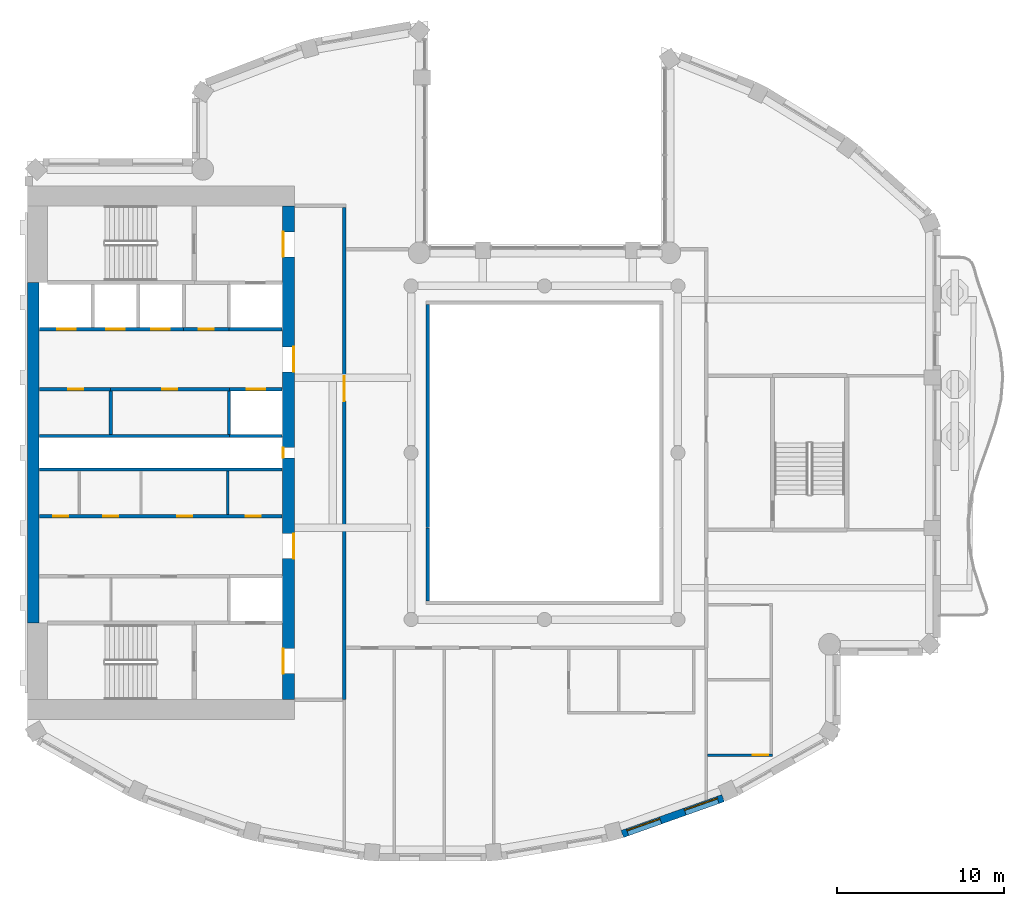
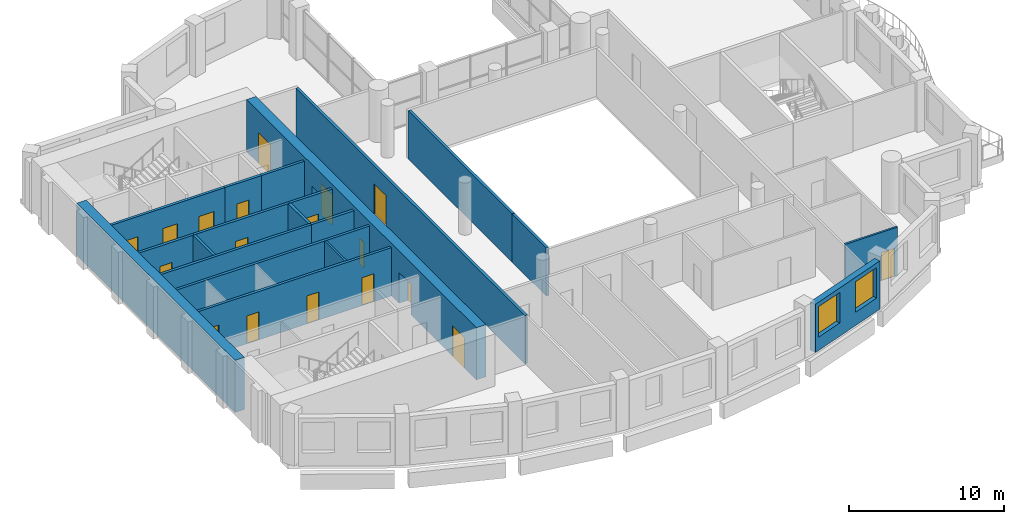
# One storey, part 5 of 14: 20 walls, 18 doors, 2 windows, 20 openings.
"""IFC4 building model written with IfcOpenShell, lengths in metres."""

from ifc_helpers import new_model, si_unit, direction, frame, frame_2d, origin, place, context, subcontext, project, spatial, rectangle, extrude, material, layer, layer_set, type_object, element, fill, save


model = new_model("IFC4")

# Units and contexts
model_context = context("Model", 3, precision=1e-05, world=origin(), true_north=direction((0.0, 1.0)))
body_context = subcontext(model_context, "Body", "Model", "MODEL_VIEW")
ifc_project = project(units=[si_unit("LENGTHUNIT", "METRE"), si_unit("AREAUNIT", "SQUARE_METRE"), si_unit("VOLUMEUNIT", "CUBIC_METRE"), si_unit("PLANEANGLEUNIT", "RADIAN"), si_unit("MASSUNIT", "GRAM", prefix="KILO")], contexts=[model_context])

# Site, building, storey
site_placement = place(None, origin())
site = spatial("IfcSite", under=ifc_project, at=site_placement, CompositionType="ELEMENT")
building_placement = place(site_placement, origin())
building = spatial("IfcBuilding", under=site, at=building_placement, Name="Cypress Arch Tower", CompositionType="ELEMENT")
storey_placement = place(building_placement, frame((0.0, 0.0, 276.199951171875)))
storey = spatial("IfcBuildingStorey", under=building, at=storey_placement, Name="L62", CompositionType="ELEMENT", Elevation=276.199951171875)

# Wall, openings, windows
ifc_material_1 = material(Name="Brick (red buff blend)", Category="masonry")
ifc_layer_1 = layer(ifc_material_1, 0.449951171875)
ifc_layer_set_1 = layer_set([ifc_layer_1], Name="Brick pier and spandrel wall BW450")
wall_type_1 = type_object("IfcWallType", Name="Brick pier and spandrel wall BW450", PredefinedType="SOLIDWALL", material=ifc_layer_set_1)
wall_1_placement = place(storey_placement, frame((5.66455078125, -22.859375, 0.0), z_axis=(0.0, 0.0, 1.0), x_axis=(0.942108340262, 0.335308626803, 0.0)))
wall_1 = element("IfcWall", 1, at=wall_1_placement, inside=storey, type_object=wall_type_1, Name="Brick wall L62 C13.0", PredefinedType="SOLIDWALL", context=body_context, shape_type="SweptSolid", body=[
    extrude(rectangle(XDim=6.41162109375, YDim=0.449951171875, at=frame_2d((3.205810546875, 0.0))), origin(), (0.0, 0.0, 1.0), 3.800048828125),
])
opening_1_placement = place(wall_1_placement, frame((0.3271484375, 0.0, 1.050048828125)))
opening_1 = element("IfcOpeningElement", 2, at=opening_1_placement, cuts=wall_1, Name="Opening W210O", PredefinedType="OPENING", context=body_context, shape_type="SweptSolid", body=[
    extrude(rectangle(XDim=2.10009765625, YDim=2.39990234375, at=frame_2d((1.050048828125, 1.199951171875))), frame((0.0, 0.23486328125, 0.0), z_axis=(0.0, -1.0, 0.0), x_axis=(1.0, 0.0, 0.0)), (0.0, 0.0, 1.0), 0.469970703125),
])
opening_2_placement = place(wall_1_placement, frame((3.984619140625, 0.0, 1.050048828125)))
opening_2 = element("IfcOpeningElement", 3, at=opening_2_placement, cuts=wall_1, Name="Opening W210O", PredefinedType="OPENING", context=body_context, shape_type="SweptSolid", body=[
    extrude(rectangle(XDim=2.10009765625, YDim=2.39990234375, at=frame_2d((1.050048828125, 1.199951171875))), frame((0.0, 0.23486328125, 0.0), z_axis=(0.0, -1.0, 0.0), x_axis=(1.0, 0.0, 0.0)), (0.0, 0.0, 1.0), 0.469970703125),
])
ifc_material_2 = material(Name="Anodised aluminium, bronze finish, clear low-emissivity double glazing", Category="aluminium")
window_type = type_object("IfcWindowType", Name="Window Office 2100x2400", PartitioningType="SINGLE_PANEL", PredefinedType="WINDOW", material=ifc_material_2)
window_1_placement = place(opening_1_placement, origin())
window_1 = element("IfcWindow", 4, at=window_1_placement, inside=storey, type_object=window_type, Name="Window L62 C13.0.1", OverallHeight=2.39990234375, OverallWidth=2.10009765625, PartitioningType="SINGLE_PANEL", PredefinedType="WINDOW", context=body_context, shape_type="SweptSolid", body=[
    extrude(rectangle(XDim=2.10009765625, YDim=2.39990234375, at=frame_2d((1.050048828125, 1.199951171875))), frame((0.0, 0.135009765625, 0.0), z_axis=(0.0, -1.0, 0.0), x_axis=(1.0, 0.0, 0.0)), (0.0, 0.0, 1.0), 0.06005859375),
])
fill(opening_1, window_1)
window_2_placement = place(opening_2_placement, origin())
window_2 = element("IfcWindow", 5, at=window_2_placement, inside=storey, type_object=window_type, Name="Window L62 C13.0.2", OverallHeight=2.39990234375, OverallWidth=2.10009765625, PartitioningType="SINGLE_PANEL", PredefinedType="WINDOW", context=body_context, shape_type="SweptSolid", body=[
    extrude(rectangle(XDim=2.10009765625, YDim=2.39990234375, at=frame_2d((1.050048828125, 1.199951171875))), frame((0.0, 0.135009765625, 0.0), z_axis=(0.0, -1.0, 0.0), x_axis=(1.0, 0.0, 0.0)), (0.0, 0.0, 1.0), 0.06005859375),
])
fill(opening_2, window_2)

# Wall, openings, doors
ifc_material_3 = material(Name="Concrete C60/75", Category="concrete")
ifc_layer_2 = layer(ifc_material_3, 0.699951171875)
ifc_layer_set_2 = layer_set([ifc_layer_2], Name="Core wall CW700 C60/75")
wall_type_2 = type_object("IfcWallType", Name="Core wall CW700 C60/75", PredefinedType="SHEAR", material=ifc_layer_set_2)
wall_2_placement = place(storey_placement, frame((-14.35009765625, -14.800048828125, 0.0), z_axis=(0.0, 0.0, 1.0), x_axis=(0.0, 1.0, 0.0)))
wall_2 = element("IfcWall", 6, at=wall_2_placement, inside=storey, type_object=wall_type_2, Name="Core wall", PredefinedType="SHEAR", context=body_context, shape_type="SweptSolid", body=[
    extrude(rectangle(XDim=29.60009765625, YDim=0.699951171875, at=frame_2d((14.800048828125, 0.0))), origin(), (0.0, 0.0, 1.0), 4.10009765625),
])
opening_3_placement = place(wall_2_placement, frame((1.550048828125, 0.0, 0.0)))
opening_3 = element("IfcOpeningElement", 7, at=opening_3_placement, cuts=wall_2, Name="Opening D07", PredefinedType="OPENING", context=body_context, shape_type="SweptSolid", body=[
    extrude(rectangle(XDim=1.5, YDim=2.39990234375, at=frame_2d((0.75, 1.199951171875))), frame((0.0, 0.35986328125, 0.0), z_axis=(0.0, -1.0, 0.0), x_axis=(1.0, 0.0, 0.0)), (0.0, 0.0, 1.0), 0.719970703125),
])
opening_4_placement = place(wall_2_placement, frame((26.550048828125, 0.0, 0.0)))
opening_4 = element("IfcOpeningElement", 8, at=opening_4_placement, cuts=wall_2, Name="Opening D07", PredefinedType="OPENING", context=body_context, shape_type="SweptSolid", body=[
    extrude(rectangle(XDim=1.5, YDim=2.39990234375, at=frame_2d((0.75, 1.199951171875))), frame((0.0, 0.35986328125, 0.0), z_axis=(0.0, -1.0, 0.0), x_axis=(1.0, 0.0, 0.0)), (0.0, 0.0, 1.0), 0.719970703125),
])
opening_5_placement = place(wall_2_placement, frame((8.449951171875, 0.0, 0.0)))
opening_5 = element("IfcOpeningElement", 9, at=opening_5_placement, cuts=wall_2, Name="Opening D07", PredefinedType="OPENING", context=body_context, shape_type="SweptSolid", body=[
    extrude(rectangle(XDim=1.5, YDim=2.39990234375, at=frame_2d((0.75, 1.199951171875))), frame((0.0, 0.35986328125, 0.0), z_axis=(0.0, -1.0, 0.0), x_axis=(1.0, 0.0, 0.0)), (0.0, 0.0, 1.0), 0.719970703125),
])
opening_6_placement = place(wall_2_placement, frame((19.64990234375, 0.0, 0.0)))
opening_6 = element("IfcOpeningElement", 10, at=opening_6_placement, cuts=wall_2, Name="Opening D07", PredefinedType="OPENING", context=body_context, shape_type="SweptSolid", body=[
    extrude(rectangle(XDim=1.5, YDim=2.39990234375, at=frame_2d((0.75, 1.199951171875))), frame((0.0, 0.35986328125, 0.0), z_axis=(0.0, -1.0, 0.0), x_axis=(1.0, 0.0, 0.0)), (0.0, 0.0, 1.0), 0.719970703125),
])
opening_7_placement = place(wall_2_placement, frame((14.5, 0.0, 0.0)))
opening_7 = element("IfcOpeningElement", 11, at=opening_7_placement, cuts=wall_2, Name="Opening D08", PredefinedType="OPENING", context=body_context, shape_type="SweptSolid", body=[
    extrude(rectangle(XDim=0.60009765625, YDim=2.0, at=frame_2d((0.300048828125, 1.0))), frame((0.0, 0.35986328125, 0.0), z_axis=(0.0, -1.0, 0.0), x_axis=(1.0, 0.0, 0.0)), (0.0, 0.0, 1.0), 0.719970703125),
])
ifc_material_4 = material(Name="Steel framed glazed door, fire resisting", Category="steel")
door_type_1 = type_object("IfcDoorType", Name="Lobby door D07 1500x2400", OperationType="DOUBLE_DOOR_SINGLE_SWING", PredefinedType="DOOR", material=ifc_material_4)
door_1_placement = place(opening_3_placement, origin())
door_1 = element("IfcDoor", 12, at=door_1_placement, inside=storey, type_object=door_type_1, Name="Lobby door", OperationType="DOUBLE_DOOR_SINGLE_SWING", OverallHeight=2.39990234375, OverallWidth=1.5, PredefinedType="DOOR", context=body_context, shape_type="SweptSolid", body=[
    extrude(rectangle(XDim=1.5, YDim=2.39990234375, at=frame_2d((0.75, 1.199951171875))), frame((0.0, 0.34521484375, 0.0), z_axis=(0.0, -1.0, 0.0), x_axis=(1.0, 0.0, 0.0)), (0.0, 0.0, 1.0), 0.050048828125),
])
fill(opening_3, door_1)
door_2_placement = place(opening_4_placement, origin())
door_2 = element("IfcDoor", 13, at=door_2_placement, inside=storey, type_object=door_type_1, Name="Lobby door", OperationType="DOUBLE_DOOR_SINGLE_SWING", OverallHeight=2.39990234375, OverallWidth=1.5, PredefinedType="DOOR", context=body_context, shape_type="SweptSolid", body=[
    extrude(rectangle(XDim=1.5, YDim=2.39990234375, at=frame_2d((0.75, 1.199951171875))), frame((0.0, 0.34521484375, 0.0), z_axis=(0.0, -1.0, 0.0), x_axis=(1.0, 0.0, 0.0)), (0.0, 0.0, 1.0), 0.050048828125),
])
fill(opening_4, door_2)
door_3_placement = place(opening_5_placement, origin())
door_3 = element("IfcDoor", 14, at=door_3_placement, inside=storey, type_object=door_type_1, Name="Lobby door", OperationType="DOUBLE_DOOR_SINGLE_SWING", OverallHeight=2.39990234375, OverallWidth=1.5, PredefinedType="DOOR", context=body_context, shape_type="SweptSolid", body=[
    extrude(rectangle(XDim=1.5, YDim=2.39990234375, at=frame_2d((0.75, 1.199951171875))), frame((0.0, -0.294921875, 0.0), z_axis=(0.0, -1.0, 0.0), x_axis=(1.0, 0.0, 0.0)), (0.0, 0.0, 1.0), 0.050048828125),
])
fill(opening_5, door_3)
door_4_placement = place(opening_6_placement, origin())
door_4 = element("IfcDoor", 15, at=door_4_placement, inside=storey, type_object=door_type_1, Name="Lobby door", OperationType="DOUBLE_DOOR_SINGLE_SWING", OverallHeight=2.39990234375, OverallWidth=1.5, PredefinedType="DOOR", context=body_context, shape_type="SweptSolid", body=[
    extrude(rectangle(XDim=1.5, YDim=2.39990234375, at=frame_2d((0.75, 1.199951171875))), frame((0.0, -0.294921875, 0.0), z_axis=(0.0, -1.0, 0.0), x_axis=(1.0, 0.0, 0.0)), (0.0, 0.0, 1.0), 0.050048828125),
])
fill(opening_6, door_4)
ifc_material_5 = material(Name="Steel access door, fire resisting", Category="steel")
door_type_2 = type_object("IfcDoorType", Name="Riser access door D08 600x2000", OperationType="SINGLE_SWING_LEFT", PredefinedType="DOOR", material=ifc_material_5)
door_5_placement = place(opening_7_placement, origin())
door_5 = element("IfcDoor", 16, at=door_5_placement, inside=storey, type_object=door_type_2, Name="Riser access door", OperationType="SINGLE_SWING_RIGHT", OverallHeight=2.0, OverallWidth=0.60009765625, PredefinedType="DOOR", context=body_context, shape_type="SweptSolid", body=[
    extrude(rectangle(XDim=0.60009765625, YDim=2.0, at=frame_2d((0.300048828125, 1.0))), frame((0.0, 0.34521484375, 0.0), z_axis=(0.0, -1.0, 0.0), x_axis=(1.0, 0.0, 0.0)), (0.0, 0.0, 1.0), 0.050048828125),
])
fill(opening_7, door_5)

# Wall
wall_3_placement = place(storey_placement, frame((-29.64990234375, -10.199951171875, 0.0), z_axis=(0.0, 0.0, 1.0), x_axis=(0.0, 1.0, 0.0)))
element("IfcWall", 17, at=wall_3_placement, inside=storey, type_object=wall_type_2, Name="Core wall", PredefinedType="SHEAR", context=body_context, shape_type="SweptSolid", body=[
    extrude(rectangle(XDim=20.39990234375, YDim=0.699951171875, at=frame_2d((10.199951171875, 0.0))), origin(), (0.0, 0.0, 1.0), 4.10009765625),
])

# Wall, openings, doors
ifc_material_6 = material(Name="Concrete blockwork, plastered, rated", Category="masonry")
ifc_layer_3 = layer(ifc_material_6, 0.199951171875)
ifc_layer_set_3 = layer_set([ifc_layer_3], Name="Corridor wall FW200")
wall_type_3 = type_object("IfcWallType", Name="Corridor wall FW200", PredefinedType="PARTITIONING", material=ifc_layer_set_3)
wall_4_placement = place(storey_placement, frame((-29.27001953125, -3.800048828125, 0.0), z_axis=(0.0, 0.0, 1.0), x_axis=(1.0, 0.0, 0.0)))
wall_4 = element("IfcWall", 18, at=wall_4_placement, inside=storey, type_object=wall_type_3, Name="Corridor wall", PredefinedType="PARTITIONING", context=body_context, shape_type="SweptSolid", body=[
    extrude(rectangle(XDim=14.5400390625, YDim=0.199951171875, at=frame_2d((7.27001953125, 0.0))), origin(), (0.0, 0.0, 1.0), 3.800048828125),
])
opening_8_placement = place(wall_4_placement, frame((0.800048828125, 0.0, 0.0)))
opening_8 = element("IfcOpeningElement", 19, at=opening_8_placement, cuts=wall_4, Name="Opening D05", PredefinedType="OPENING", context=body_context, shape_type="SweptSolid", body=[
    extrude(rectangle(XDim=0.89990234375, YDim=2.199951171875, at=frame_2d((0.449951171875, 1.10009765625))), frame((0.0, 0.10986328125, 0.0), z_axis=(0.0, -1.0, 0.0), x_axis=(1.0, 0.0, 0.0)), (0.0, 0.0, 1.0), 0.219970703125),
])
opening_9_placement = place(wall_4_placement, frame((3.800048828125, 0.0, 0.0)))
opening_9 = element("IfcOpeningElement", 20, at=opening_9_placement, cuts=wall_4, Name="Opening D05", PredefinedType="OPENING", context=body_context, shape_type="SweptSolid", body=[
    extrude(rectangle(XDim=0.89990234375, YDim=2.199951171875, at=frame_2d((0.449951171875, 1.10009765625))), frame((0.0, 0.10986328125, 0.0), z_axis=(0.0, -1.0, 0.0), x_axis=(1.0, 0.0, 0.0)), (0.0, 0.0, 1.0), 0.219970703125),
])
opening_10_placement = place(wall_4_placement, frame((8.25, 0.0, 0.0)))
opening_10 = element("IfcOpeningElement", 21, at=opening_10_placement, cuts=wall_4, Name="Opening D05", PredefinedType="OPENING", context=body_context, shape_type="SweptSolid", body=[
    extrude(rectangle(XDim=0.89990234375, YDim=2.199951171875, at=frame_2d((0.449951171875, 1.10009765625))), frame((0.0, 0.10986328125, 0.0), z_axis=(0.0, -1.0, 0.0), x_axis=(1.0, 0.0, 0.0)), (0.0, 0.0, 1.0), 0.219970703125),
])
opening_11_placement = place(wall_4_placement, frame((12.35009765625, 0.0, 0.0)))
opening_11 = element("IfcOpeningElement", 22, at=opening_11_placement, cuts=wall_4, Name="Opening D05", PredefinedType="OPENING", context=body_context, shape_type="SweptSolid", body=[
    extrude(rectangle(XDim=0.89990234375, YDim=2.199951171875, at=frame_2d((0.449951171875, 1.10009765625))), frame((0.0, 0.10986328125, 0.0), z_axis=(0.0, -1.0, 0.0), x_axis=(1.0, 0.0, 0.0)), (0.0, 0.0, 1.0), 0.219970703125),
])
ifc_material_7 = material(Name="Timber flush door", Category="wood")
door_type_3 = type_object("IfcDoorType", Name="Service door D05 900x2200", OperationType="SINGLE_SWING_LEFT", PredefinedType="DOOR", material=ifc_material_7)
door_6_placement = place(opening_8_placement, origin())
door_6 = element("IfcDoor", 23, at=door_6_placement, inside=storey, type_object=door_type_3, Name="Service door", OperationType="SINGLE_SWING_RIGHT", OverallHeight=2.199951171875, OverallWidth=0.89990234375, PredefinedType="DOOR", context=body_context, shape_type="SweptSolid", body=[
    extrude(rectangle(XDim=0.89990234375, YDim=2.199951171875, at=frame_2d((0.449951171875, 1.10009765625))), frame((0.0, 0.02490234375, 0.0), z_axis=(0.0, -1.0, 0.0), x_axis=(1.0, 0.0, 0.0)), (0.0, 0.0, 1.0), 0.050048828125),
])
fill(opening_8, door_6)
door_7_placement = place(opening_9_placement, origin())
door_7 = element("IfcDoor", 24, at=door_7_placement, inside=storey, type_object=door_type_3, Name="Service door", OperationType="SINGLE_SWING_RIGHT", OverallHeight=2.199951171875, OverallWidth=0.89990234375, PredefinedType="DOOR", context=body_context, shape_type="SweptSolid", body=[
    extrude(rectangle(XDim=0.89990234375, YDim=2.199951171875, at=frame_2d((0.449951171875, 1.10009765625))), frame((0.0, 0.02490234375, 0.0), z_axis=(0.0, -1.0, 0.0), x_axis=(1.0, 0.0, 0.0)), (0.0, 0.0, 1.0), 0.050048828125),
])
fill(opening_9, door_7)
door_8_placement = place(opening_10_placement, origin())
door_8 = element("IfcDoor", 25, at=door_8_placement, inside=storey, type_object=door_type_3, Name="Service door", OperationType="SINGLE_SWING_RIGHT", OverallHeight=2.199951171875, OverallWidth=0.89990234375, PredefinedType="DOOR", context=body_context, shape_type="SweptSolid", body=[
    extrude(rectangle(XDim=0.89990234375, YDim=2.199951171875, at=frame_2d((0.449951171875, 1.10009765625))), frame((0.0, 0.02490234375, 0.0), z_axis=(0.0, -1.0, 0.0), x_axis=(1.0, 0.0, 0.0)), (0.0, 0.0, 1.0), 0.050048828125),
])
fill(opening_10, door_8)
door_9_placement = place(opening_11_placement, origin())
door_9 = element("IfcDoor", 26, at=door_9_placement, inside=storey, type_object=door_type_3, Name="Service door", OperationType="SINGLE_SWING_LEFT", OverallHeight=2.199951171875, OverallWidth=0.89990234375, PredefinedType="DOOR", context=body_context, shape_type="SweptSolid", body=[
    extrude(rectangle(XDim=0.89990234375, YDim=2.199951171875, at=frame_2d((0.449951171875, 1.10009765625))), frame((0.0, 0.02490234375, 0.0), z_axis=(0.0, -1.0, 0.0), x_axis=(1.0, 0.0, 0.0)), (0.0, 0.0, 1.0), 0.050048828125),
])
fill(opening_11, door_9)

# Wall, opening, door
wall_5_placement = place(storey_placement, frame((-29.27001953125, 3.800048828125, 0.0), z_axis=(0.0, 0.0, 1.0), x_axis=(1.0, 0.0, 0.0)))
wall_5 = element("IfcWall", 27, at=wall_5_placement, inside=storey, type_object=wall_type_3, Name="Corridor wall", PredefinedType="PARTITIONING", context=body_context, shape_type="SweptSolid", body=[
    extrude(rectangle(XDim=4.25, YDim=0.199951171875, at=frame_2d((2.125, 0.0))), origin(), (0.0, 0.0, 1.0), 3.800048828125),
])
opening_12_placement = place(wall_5_placement, frame((1.699951171875, 0.0, 0.0)))
opening_12 = element("IfcOpeningElement", 28, at=opening_12_placement, cuts=wall_5, Name="Opening D05", PredefinedType="OPENING", context=body_context, shape_type="SweptSolid", body=[
    extrude(rectangle(XDim=0.89990234375, YDim=2.199951171875, at=frame_2d((0.449951171875, 1.10009765625))), frame((0.0, 0.10986328125, 0.0), z_axis=(0.0, -1.0, 0.0), x_axis=(1.0, 0.0, 0.0)), (0.0, 0.0, 1.0), 0.219970703125),
])
door_10_placement = place(opening_12_placement, origin())
door_10 = element("IfcDoor", 29, at=door_10_placement, inside=storey, type_object=door_type_3, Name="Service door", OperationType="SINGLE_SWING_LEFT", OverallHeight=2.199951171875, OverallWidth=0.89990234375, PredefinedType="DOOR", context=body_context, shape_type="SweptSolid", body=[
    extrude(rectangle(XDim=0.89990234375, YDim=2.199951171875, at=frame_2d((0.449951171875, 1.10009765625))), frame((0.0, 0.02490234375, 0.0), z_axis=(0.0, -1.0, 0.0), x_axis=(1.0, 0.0, 0.0)), (0.0, 0.0, 1.0), 0.050048828125),
])
fill(opening_12, door_10)

wall_6_placement = place(storey_placement, frame((-20.639892578125, 7.39990234375, 0.0), z_axis=(0.0, 0.0, 1.0), x_axis=(1.0, 0.0, 0.0)))
wall_6 = element("IfcWall", 30, at=wall_6_placement, inside=storey, type_object=wall_type_3, Name="Corridor wall", PredefinedType="PARTITIONING", context=body_context, shape_type="SweptSolid", body=[
    extrude(rectangle(XDim=2.719970703125, YDim=0.199951171875, at=frame_2d((1.35986328125, 0.0))), origin(), (0.0, 0.0, 1.0), 3.800048828125),
])
opening_13_placement = place(wall_6_placement, frame((0.89990234375, 0.0, 0.0)))
opening_13 = element("IfcOpeningElement", 31, at=opening_13_placement, cuts=wall_6, Name="Opening D05", PredefinedType="OPENING", context=body_context, shape_type="SweptSolid", body=[
    extrude(rectangle(XDim=0.89990234375, YDim=2.199951171875, at=frame_2d((0.449951171875, 1.10009765625))), frame((0.0, 0.10986328125, 0.0), z_axis=(0.0, -1.0, 0.0), x_axis=(1.0, 0.0, 0.0)), (0.0, 0.0, 1.0), 0.219970703125),
])
door_11_placement = place(opening_13_placement, origin())
door_11 = element("IfcDoor", 32, at=door_11_placement, inside=storey, type_object=door_type_3, Name="Service door", OperationType="SINGLE_SWING_LEFT", OverallHeight=2.199951171875, OverallWidth=0.89990234375, PredefinedType="DOOR", context=body_context, shape_type="SweptSolid", body=[
    extrude(rectangle(XDim=0.89990234375, YDim=2.199951171875, at=frame_2d((0.449951171875, 1.10009765625))), frame((0.0, 0.02490234375, 0.0), z_axis=(0.0, -1.0, 0.0), x_axis=(1.0, 0.0, 0.0)), (0.0, 0.0, 1.0), 0.050048828125),
])
fill(opening_13, door_11)

wall_7_placement = place(storey_placement, frame((-11.0, -14.800048828125, 0.0), z_axis=(0.0, 0.0, 1.0), x_axis=(0.0, 1.0, 0.0)))
wall_7 = element("IfcWall", 33, at=wall_7_placement, inside=storey, type_object=wall_type_3, Name="Corridor wall", PredefinedType="PARTITIONING", context=body_context, shape_type="SweptSolid", body=[
    extrude(rectangle(XDim=29.5, YDim=0.199951171875, at=frame_2d((14.75, 0.0))), origin(), (0.0, 0.0, 1.0), 3.800048828125),
])
opening_14_placement = place(wall_7_placement, frame((17.89990234375, 0.0, 0.0)))
opening_14 = element("IfcOpeningElement", 34, at=opening_14_placement, cuts=wall_7, Name="Opening D07", PredefinedType="OPENING", context=body_context, shape_type="SweptSolid", body=[
    extrude(rectangle(XDim=1.5, YDim=2.39990234375, at=frame_2d((0.75, 1.199951171875))), frame((0.0, 0.10986328125, 0.0), z_axis=(0.0, -1.0, 0.0), x_axis=(1.0, 0.0, 0.0)), (0.0, 0.0, 1.0), 0.219970703125),
])
door_12_placement = place(opening_14_placement, origin())
door_12 = element("IfcDoor", 35, at=door_12_placement, inside=storey, type_object=door_type_1, Name="Lobby door", OperationType="DOUBLE_DOOR_SINGLE_SWING", OverallHeight=2.39990234375, OverallWidth=1.5, PredefinedType="DOOR", context=body_context, shape_type="SweptSolid", body=[
    extrude(rectangle(XDim=1.5, YDim=2.39990234375, at=frame_2d((0.75, 1.199951171875))), frame((0.0, 0.02490234375, 0.0), z_axis=(0.0, -1.0, 0.0), x_axis=(1.0, 0.0, 0.0)), (0.0, 0.0, 1.0), 0.050048828125),
])
fill(opening_14, door_12)

# Walls
wall_8_placement = place(storey_placement, frame((-6.0, -8.89990234375, 0.0), z_axis=(0.0, 0.0, 1.0), x_axis=(0.0, 1.0, 0.0)))
element("IfcWall", 36, at=wall_8_placement, inside=storey, type_object=wall_type_3, Name="Corridor wall", PredefinedType="PARTITIONING", context=body_context, shape_type="SweptSolid", body=[
    extrude(rectangle(XDim=4.3798828125, YDim=0.199951171875, at=frame_2d((2.18994140625, 0.0))), origin(), (0.0, 0.0, 1.0), 3.800048828125),
])
wall_9_placement = place(storey_placement, frame((-6.0, -4.47998046875, 0.0), z_axis=(0.0, 0.0, 1.0), x_axis=(0.0, 1.0, 0.0)))
element("IfcWall", 37, at=wall_9_placement, inside=storey, type_object=wall_type_3, Name="Corridor wall", PredefinedType="PARTITIONING", context=body_context, shape_type="SweptSolid", body=[
    extrude(rectangle(XDim=13.3798828125, YDim=0.199951171875, at=frame_2d((6.68994140625, 0.0))), origin(), (0.0, 0.0, 1.0), 3.800048828125),
])
ifc_material_8 = material(Name="Blockwork, plastered both sides", Category="masonry")
ifc_layer_4 = layer(ifc_material_8, 0.14990234375)
ifc_layer_set_4 = layer_set([ifc_layer_4], Name="Partition PW150")
wall_type_4 = type_object("IfcWallType", Name="Partition PW150", PredefinedType="PARTITIONING", material=ifc_layer_set_4)
wall_10_placement = place(storey_placement, frame((-18.0, -3.699951171875, 0.0), z_axis=(0.0, 0.0, 1.0), x_axis=(0.0, 1.0, 0.0)))
element("IfcWall", 38, at=wall_10_placement, inside=storey, type_object=wall_type_4, Name="Partition", PredefinedType="PARTITIONING", context=body_context, shape_type="SweptSolid", body=[
    extrude(rectangle(XDim=2.599853515625, YDim=0.14990234375, at=frame_2d((1.2998046875, 0.0))), origin(), (0.0, 0.0, 1.0), 3.800048828125),
])

# Wall, opening, door
wall_11_placement = place(storey_placement, frame((10.77490234375, -18.125, 0.0), z_axis=(0.0, 0.0, 1.0), x_axis=(1.0, 0.0, 0.0)))
wall_11 = element("IfcWall", 39, at=wall_11_placement, inside=storey, type_object=wall_type_4, Name="Partition", PredefinedType="PARTITIONING", context=body_context, shape_type="SweptSolid", body=[
    extrude(rectangle(XDim=3.900146484375, YDim=0.14990234375, at=frame_2d((1.9501953125, 0.0))), origin(), (0.0, 0.0, 1.0), 3.800048828125),
])
opening_15_placement = place(wall_11_placement, frame((2.699951171875, 0.0, 0.0)))
opening_15 = element("IfcOpeningElement", 40, at=opening_15_placement, cuts=wall_11, Name="Opening D12", PredefinedType="OPENING", context=body_context, shape_type="SweptSolid", body=[
    extrude(rectangle(XDim=0.949951171875, YDim=2.199951171875, at=frame_2d((0.47509765625, 1.10009765625))), frame((0.0, 0.0849609375, 0.0), z_axis=(0.0, -1.0, 0.0), x_axis=(1.0, 0.0, 0.0)), (0.0, 0.0, 1.0), 0.169921875),
])
ifc_material_9 = material(Name="Timber flush door", Category="wood")
door_type_4 = type_object("IfcDoorType", Name="Room door D12 950x2200", OperationType="SINGLE_SWING_LEFT", PredefinedType="DOOR", material=ifc_material_9)
door_13_placement = place(opening_15_placement, origin())
door_13 = element("IfcDoor", 41, at=door_13_placement, inside=storey, type_object=door_type_4, Name="Room door", OperationType="SINGLE_SWING_RIGHT", OverallHeight=2.199951171875, OverallWidth=0.949951171875, PredefinedType="DOOR", context=body_context, shape_type="SweptSolid", body=[
    extrude(rectangle(XDim=0.949951171875, YDim=2.199951171875, at=frame_2d((0.47509765625, 1.10009765625))), frame((0.0, 0.02490234375, 0.0), z_axis=(0.0, -1.0, 0.0), x_axis=(1.0, 0.0, 0.0)), (0.0, 0.0, 1.0), 0.050048828125),
])
fill(opening_15, door_13)

# Walls
ifc_material_10 = material(Name="Reinforced blockwork, plastered, rated", Category="masonry")
ifc_layer_5 = layer(ifc_material_10, 0.199951171875)
ifc_layer_set_5 = layer_set([ifc_layer_5], Name="Plant and riser wall PL200")
wall_type_5 = type_object("IfcWallType", Name="Plant and riser wall PL200", PredefinedType="PARTITIONING", material=ifc_layer_set_5)
wall_12_placement = place(storey_placement, frame((-29.27001953125, -1.0, 0.0), z_axis=(0.0, 0.0, 1.0), x_axis=(1.0, 0.0, 0.0)))
element("IfcWall", 42, at=wall_12_placement, inside=storey, type_object=wall_type_5, Name="Plant and riser wall", PredefinedType="PARTITIONING", context=body_context, shape_type="SweptSolid", body=[
    extrude(rectangle(XDim=14.5400390625, YDim=0.199951171875, at=frame_2d((7.27001953125, 0.0))), origin(), (0.0, 0.0, 1.0), 3.800048828125),
])
wall_13_placement = place(storey_placement, frame((-29.27001953125, 1.0, 0.0), z_axis=(0.0, 0.0, 1.0), x_axis=(1.0, 0.0, 0.0)))
element("IfcWall", 43, at=wall_13_placement, inside=storey, type_object=wall_type_5, Name="Plant and riser wall", PredefinedType="PARTITIONING", context=body_context, shape_type="SweptSolid", body=[
    extrude(rectangle(XDim=11.3701171875, YDim=0.199951171875, at=frame_2d((5.68505859375, 0.0))), origin(), (0.0, 0.0, 1.0), 3.800048828125),
])

# Wall, opening, door
wall_14_placement = place(storey_placement, frame((-25.02001953125, 3.800048828125, 0.0), z_axis=(0.0, 0.0, 1.0), x_axis=(1.0, 0.0, 0.0)))
wall_14 = element("IfcWall", 44, at=wall_14_placement, inside=storey, type_object=wall_type_5, Name="Plant and riser wall", PredefinedType="PARTITIONING", context=body_context, shape_type="SweptSolid", body=[
    extrude(rectangle(XDim=7.1201171875, YDim=0.199951171875, at=frame_2d((3.56005859375, 0.0))), origin(), (0.0, 0.0, 1.0), 3.800048828125),
])
opening_16_placement = place(wall_14_placement, frame((3.10009765625, 0.0, 0.0)))
opening_16 = element("IfcOpeningElement", 45, at=opening_16_placement, cuts=wall_14, Name="Opening D05", PredefinedType="OPENING", context=body_context, shape_type="SweptSolid", body=[
    extrude(rectangle(XDim=0.89990234375, YDim=2.199951171875, at=frame_2d((0.449951171875, 1.10009765625))), frame((0.0, 0.10986328125, 0.0), z_axis=(0.0, -1.0, 0.0), x_axis=(1.0, 0.0, 0.0)), (0.0, 0.0, 1.0), 0.219970703125),
])
door_14_placement = place(opening_16_placement, origin())
door_14 = element("IfcDoor", 46, at=door_14_placement, inside=storey, type_object=door_type_3, Name="Service door", OperationType="SINGLE_SWING_RIGHT", OverallHeight=2.199951171875, OverallWidth=0.89990234375, PredefinedType="DOOR", context=body_context, shape_type="SweptSolid", body=[
    extrude(rectangle(XDim=0.89990234375, YDim=2.199951171875, at=frame_2d((0.449951171875, 1.10009765625))), frame((0.0, 0.02490234375, 0.0), z_axis=(0.0, -1.0, 0.0), x_axis=(1.0, 0.0, 0.0)), (0.0, 0.0, 1.0), 0.050048828125),
])
fill(opening_16, door_14)

# Wall
wall_15_placement = place(storey_placement, frame((-25.0, 1.10009765625, 0.0), z_axis=(0.0, 0.0, 1.0), x_axis=(0.0, 1.0, 0.0)))
element("IfcWall", 47, at=wall_15_placement, inside=storey, type_object=wall_type_5, Name="Plant and riser wall", PredefinedType="PARTITIONING", context=body_context, shape_type="SweptSolid", body=[
    extrude(rectangle(XDim=2.599853515625, YDim=0.199951171875, at=frame_2d((1.2998046875, 0.0))), origin(), (0.0, 0.0, 1.0), 3.800048828125),
])

# Wall, openings, doors
ifc_material_11 = material(Name="Concrete C50/60", Category="concrete")
ifc_layer_6 = layer(ifc_material_11, 0.199951171875)
ifc_layer_set_6 = layer_set([ifc_layer_6], Name="Shaft wall SH200")
wall_type_6 = type_object("IfcWallType", Name="Shaft wall SH200", PredefinedType="SHEAR", material=ifc_layer_set_6)
wall_16_placement = place(storey_placement, frame((-29.27001953125, 7.39990234375, 0.0), z_axis=(0.0, 0.0, 1.0), x_axis=(1.0, 0.0, 0.0)))
wall_16 = element("IfcWall", 48, at=wall_16_placement, inside=storey, type_object=wall_type_6, Name="Shaft wall", PredefinedType="SHEAR", context=body_context, shape_type="SweptSolid", body=[
    extrude(rectangle(XDim=8.630126953125, YDim=0.199951171875, at=frame_2d((4.31494140625, 0.0))), origin(), (0.0, 0.0, 1.0), 3.800048828125),
])
opening_17_placement = place(wall_16_placement, frame((1.050048828125, 0.0, 0.0)))
opening_17 = element("IfcOpeningElement", 49, at=opening_17_placement, cuts=wall_16, Name="Opening LD-HR5", PredefinedType="OPENING", context=body_context, shape_type="SweptSolid", body=[
    extrude(rectangle(XDim=1.10009765625, YDim=2.199951171875, at=frame_2d((0.550048828125, 1.10009765625))), frame((0.0, 0.10986328125, 0.0), z_axis=(0.0, -1.0, 0.0), x_axis=(1.0, 0.0, 0.0)), (0.0, 0.0, 1.0), 0.219970703125),
])
opening_18_placement = place(wall_16_placement, frame((4.0, 0.0, 0.0)))
opening_18 = element("IfcOpeningElement", 50, at=opening_18_placement, cuts=wall_16, Name="Opening LD-HR6", PredefinedType="OPENING", context=body_context, shape_type="SweptSolid", body=[
    extrude(rectangle(XDim=1.10009765625, YDim=2.199951171875, at=frame_2d((0.550048828125, 1.10009765625))), frame((0.0, 0.10986328125, 0.0), z_axis=(0.0, -1.0, 0.0), x_axis=(1.0, 0.0, 0.0)), (0.0, 0.0, 1.0), 0.219970703125),
])
opening_19_placement = place(wall_16_placement, frame((6.699951171875, 0.0, 0.0)))
opening_19 = element("IfcOpeningElement", 51, at=opening_19_placement, cuts=wall_16, Name="Opening LD-HR7", PredefinedType="OPENING", context=body_context, shape_type="SweptSolid", body=[
    extrude(rectangle(XDim=1.10009765625, YDim=2.199951171875, at=frame_2d((0.550048828125, 1.10009765625))), frame((0.0, 0.10986328125, 0.0), z_axis=(0.0, -1.0, 0.0), x_axis=(1.0, 0.0, 0.0)), (0.0, 0.0, 1.0), 0.219970703125),
])
ifc_material_12 = material(Name="Stainless steel centre-opening landing door, rated", Category="steel")
door_type_5 = type_object("IfcDoorType", Name="Lift landing door LD 1100x2200", OperationType="DOUBLE_DOOR_SLIDING", PredefinedType="DOOR", material=ifc_material_12)
door_15_placement = place(opening_17_placement, origin())
door_15 = element("IfcDoor", 52, at=door_15_placement, inside=storey, type_object=door_type_5, Name="Lift landing doors HR5", OperationType="DOUBLE_DOOR_SLIDING", OverallHeight=2.199951171875, OverallWidth=1.10009765625, PredefinedType="DOOR", context=body_context, shape_type="SweptSolid", body=[
    extrude(rectangle(XDim=1.10009765625, YDim=2.199951171875, at=frame_2d((0.550048828125, 1.10009765625))), frame((0.0, 0.02490234375, 0.0), z_axis=(0.0, -1.0, 0.0), x_axis=(1.0, 0.0, 0.0)), (0.0, 0.0, 1.0), 0.050048828125),
])
fill(opening_17, door_15)
door_16_placement = place(opening_18_placement, origin())
door_16 = element("IfcDoor", 53, at=door_16_placement, inside=storey, type_object=door_type_5, Name="Lift landing doors HR6", OperationType="DOUBLE_DOOR_SLIDING", OverallHeight=2.199951171875, OverallWidth=1.10009765625, PredefinedType="DOOR", context=body_context, shape_type="SweptSolid", body=[
    extrude(rectangle(XDim=1.10009765625, YDim=2.199951171875, at=frame_2d((0.550048828125, 1.10009765625))), frame((0.0, 0.02490234375, 0.0), z_axis=(0.0, -1.0, 0.0), x_axis=(1.0, 0.0, 0.0)), (0.0, 0.0, 1.0), 0.050048828125),
])
fill(opening_18, door_16)
door_17_placement = place(opening_19_placement, origin())
door_17 = element("IfcDoor", 54, at=door_17_placement, inside=storey, type_object=door_type_5, Name="Lift landing doors HR7", OperationType="DOUBLE_DOOR_SLIDING", OverallHeight=2.199951171875, OverallWidth=1.10009765625, PredefinedType="DOOR", context=body_context, shape_type="SweptSolid", body=[
    extrude(rectangle(XDim=1.10009765625, YDim=2.199951171875, at=frame_2d((0.550048828125, 1.10009765625))), frame((0.0, 0.02490234375, 0.0), z_axis=(0.0, -1.0, 0.0), x_axis=(1.0, 0.0, 0.0)), (0.0, 0.0, 1.0), 0.050048828125),
])
fill(opening_19, door_17)

# Walls
wall_17_placement = place(storey_placement, frame((-17.919921875, 1.10009765625, 0.0), z_axis=(0.0, 0.0, 1.0), x_axis=(0.0, 1.0, 0.0)))
element("IfcWall", 55, at=wall_17_placement, inside=storey, type_object=wall_type_6, Name="Shaft wall", PredefinedType="SHEAR", context=body_context, shape_type="SweptSolid", body=[
    extrude(rectangle(XDim=2.599853515625, YDim=0.199951171875, at=frame_2d((1.2998046875, 0.0))), origin(), (0.0, 0.0, 1.0), 3.800048828125),
])
wall_18_placement = place(storey_placement, frame((-17.89990234375, 1.0, 0.0), z_axis=(0.0, 0.0, 1.0), x_axis=(1.0, 0.0, 0.0)))
element("IfcWall", 56, at=wall_18_placement, inside=storey, type_object=wall_type_6, Name="Shaft wall", PredefinedType="SHEAR", context=body_context, shape_type="SweptSolid", body=[
    extrude(rectangle(XDim=3.169921875, YDim=0.199951171875, at=frame_2d((1.5849609375, 0.0))), origin(), (0.0, 0.0, 1.0), 3.800048828125),
])

# Wall, opening, door
wall_19_placement = place(storey_placement, frame((-17.89990234375, 3.800048828125, 0.0), z_axis=(0.0, 0.0, 1.0), x_axis=(1.0, 0.0, 0.0)))
wall_19 = element("IfcWall", 57, at=wall_19_placement, inside=storey, type_object=wall_type_6, Name="Shaft wall", PredefinedType="SHEAR", context=body_context, shape_type="SweptSolid", body=[
    extrude(rectangle(XDim=3.169921875, YDim=0.199951171875, at=frame_2d((1.5849609375, 0.0))), origin(), (0.0, 0.0, 1.0), 3.800048828125),
])
opening_20_placement = place(wall_19_placement, frame((1.050048828125, 0.0, 0.0)))
opening_20 = element("IfcOpeningElement", 58, at=opening_20_placement, cuts=wall_19, Name="Opening LD-HR4", PredefinedType="OPENING", context=body_context, shape_type="SweptSolid", body=[
    extrude(rectangle(XDim=1.10009765625, YDim=2.199951171875, at=frame_2d((0.550048828125, 1.10009765625))), frame((0.0, 0.10986328125, 0.0), z_axis=(0.0, -1.0, 0.0), x_axis=(1.0, 0.0, 0.0)), (0.0, 0.0, 1.0), 0.219970703125),
])
door_18_placement = place(opening_20_placement, origin())
door_18 = element("IfcDoor", 59, at=door_18_placement, inside=storey, type_object=door_type_5, Name="Lift landing doors HR4", OperationType="DOUBLE_DOOR_SLIDING", OverallHeight=2.199951171875, OverallWidth=1.10009765625, PredefinedType="DOOR", context=body_context, shape_type="SweptSolid", body=[
    extrude(rectangle(XDim=1.10009765625, YDim=2.199951171875, at=frame_2d((0.550048828125, 1.10009765625))), frame((0.0, 0.02490234375, 0.0), z_axis=(0.0, -1.0, 0.0), x_axis=(1.0, 0.0, 0.0)), (0.0, 0.0, 1.0), 0.050048828125),
])
fill(opening_20, door_18)

# Wall
wall_20_placement = place(storey_placement, frame((-17.919921875, 7.39990234375, 0.0), z_axis=(0.0, 0.0, 1.0), x_axis=(1.0, 0.0, 0.0)))
element("IfcWall", 60, at=wall_20_placement, inside=storey, type_object=wall_type_6, Name="Shaft wall", PredefinedType="SHEAR", context=body_context, shape_type="SweptSolid", body=[
    extrude(rectangle(XDim=3.18994140625, YDim=0.199951171875, at=frame_2d((1.594970703125, 0.0))), origin(), (0.0, 0.0, 1.0), 3.800048828125),
])

save(model, "model.ifc")
